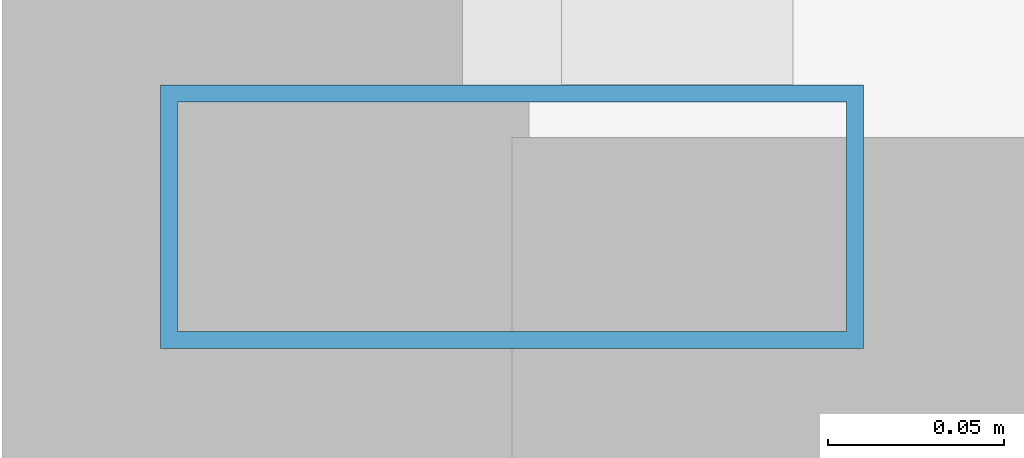
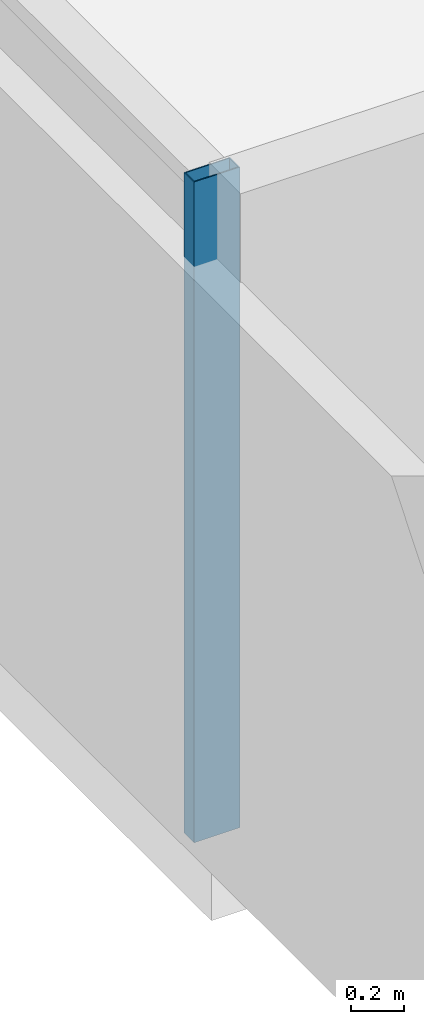
# One storey, part 2 of 25: 1 member, 1 element without a shape of its own.
"""IFC4 building model written with IfcOpenShell, lengths in metres."""

from ifc_helpers import new_model, si_unit, direction, frame, origin, origin_2d, place, context, subcontext, project, spatial, hollow_rectangle, extrude, source, transform, mapped, material, layer, layer_set, material_profile, profile_set, type_object, element, aggregate, save


model = new_model("IFC4")

# Units and contexts
model_context = context("Model", 3, precision=1e-05, world=origin(), true_north=direction((0.0, 1.0)))
body_context = subcontext(model_context, "Body", "Model", "MODEL_VIEW")
ifc_project = project(units=[si_unit("LENGTHUNIT", "METRE"), si_unit("AREAUNIT", "SQUARE_METRE"), si_unit("VOLUMEUNIT", "CUBIC_METRE"), si_unit("PLANEANGLEUNIT", "RADIAN"), si_unit("MASSUNIT", "GRAM", prefix="KILO")], contexts=[model_context])

# Site, building, storey
site_placement = place(None, origin())
site = spatial("IfcSite", under=ifc_project, at=site_placement, CompositionType="ELEMENT")
building_placement = place(site_placement, origin())
building = spatial("IfcBuilding", under=site, at=building_placement, Name="Zarnakvel Exchange Tower", CompositionType="ELEMENT")
storey_placement = place(building_placement, frame((0.0, 0.0, 162.699951171875)))
storey = spatial("IfcBuildingStorey", under=building, at=storey_placement, Name="L45", CompositionType="ELEMENT", Elevation=162.699951171875)

# Curtain wall, member
ifc_material = material(Name="Architectural Bronze Anodised Aluminium", Category="aluminium")
ifc_layer = layer(ifc_material, 0.199951171875)
ifc_layer_set = layer_set([ifc_layer], Name="Architectural Bronze Anodised Aluminium")
curtain_wall_type = type_object("IfcCurtainWallType", Name="CW-04", PredefinedType="NOTDEFINED", material=ifc_layer_set)
curtain_wall_placement = place(storey_placement, origin())
curtain_wall = element("IfcCurtainWall", 1, at=curtain_wall_placement, inside=storey, type_object=curtain_wall_type, Name="L45 Curtain Wall CW-L45-W1 (CW-04)", PredefinedType="NOTDEFINED")
ifc_material_profile = material_profile(ifc_material, hollow_rectangle(XDim=0.199951171875, YDim=0.074951171875, WallThickness=0.0048828125, at=origin_2d()))
ifc_profile_set = profile_set([ifc_material_profile], Name="Architectural Bronze Anodised Aluminium")
member_type = type_object("IfcMemberType", Name="CWM-04", PredefinedType="MULLION", material=ifc_profile_set)
shared_shape = source(origin(), body_context, "Body", "SweptSolid", [
    extrude(hollow_rectangle(XDim=0.199951171875, YDim=0.074951171875, WallThickness=0.0048828125, at=origin_2d()), origin(), (0.0, 0.0, 1.0), 3.054931640625),
])
member_placement = place(storey_placement, frame((-26.4599609375, -14.16259765625, 0.0), z_axis=(0.0, 0.0, 1.0), x_axis=(-1.0, 0.0, 0.0)))
member = element("IfcMember", 2, at=member_placement, type_object=member_type, Name="CW-04 mullion 1", PredefinedType="MULLION", context=body_context, shape_type="MappedRepresentation", body=[
    mapped(shared_shape, transform((0.0, 0.0, 0.0), x_axis=(1.0, 0.0, 0.0), y_axis=(0.0, 1.0, 0.0), z_axis=(0.0, 0.0, 1.0), scale=1.0)),
])
aggregate(curtain_wall, [member])

save(model, "model.ifc")
